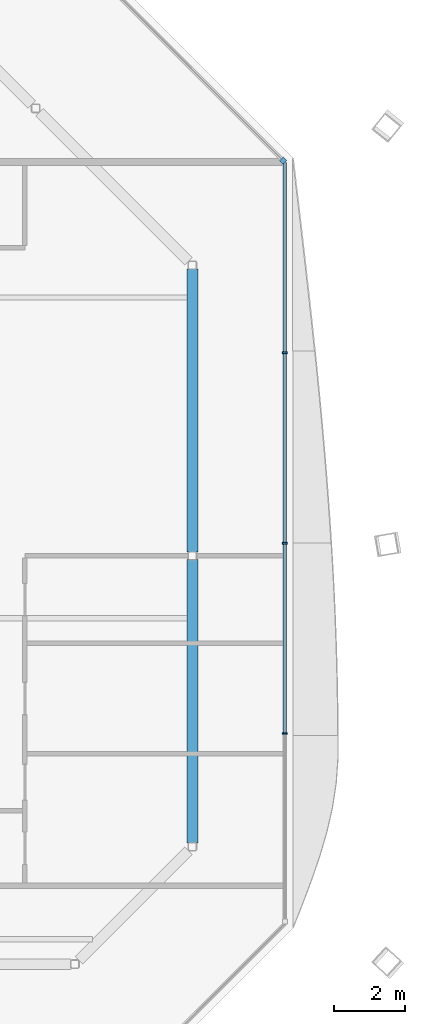
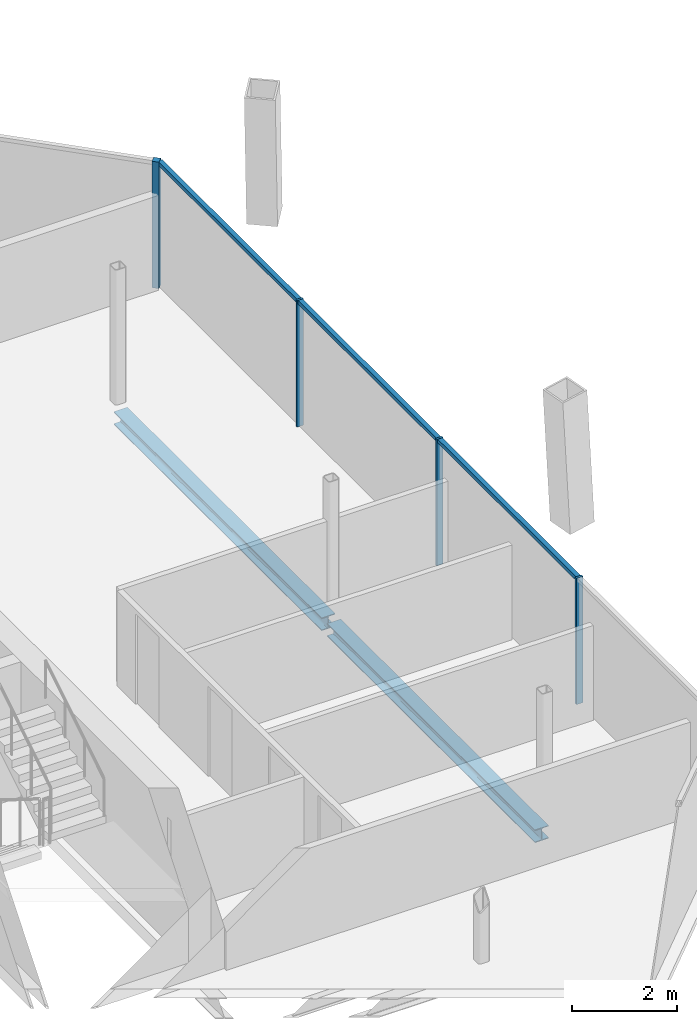
# One storey, part 7 of 16: 7 members, 2 beams, 2 elements without a shape of their own.
"""IFC4 building model written with IfcOpenShell, lengths in metres."""

import ifcopenshell
import ifcopenshell.guid

model = None  # the IFC model being written
_history = None  # IfcOwnerHistory: only IFC2X3 demands one
_inside = {}  # id of a spatial element -> (the spatial element, [elements in it])
_under = {}  # id of a project, library or spatial element -> (it, [spatial elements below it])
_declared = {}  # id of a project -> (the project, [libraries it declares])
_typed = {}  # id of a type object -> (the type object, [elements of that type])
_made_of = {}  # id of a material, layer set ... -> (it, [elements and type objects made of it])


def new_model(schema):
    """Start an empty IFC model of exactly this schema.

    Asked for "IFC4X3", IfcOpenShell would pick the latest addendum, in which some entities
    have other attributes; the version numbers below select the first issue.
    IFC2X3 requires an IfcOwnerHistory on every rooted entity: one is made here for all.
    """
    global model, _history
    if schema == "IFC4X3":
        model = ifcopenshell.file(schema_version=(4, 3, 0, 0))
    else:
        model = ifcopenshell.file(schema=schema)
    _inside.clear()
    _under.clear()
    _declared.clear()
    _typed.clear()
    _made_of.clear()
    _history = None
    if model.schema == "IFC2X3":
        org = make("IfcOrganization", Name="unknown")
        user = make(
            "IfcPersonAndOrganization",
            ThePerson=make("IfcPerson", FamilyName="unknown"),
            TheOrganization=org,
        )
        app = make(
            "IfcApplication",
            ApplicationDeveloper=org,
            Version="unknown",
            ApplicationFullName="unknown",
            ApplicationIdentifier="unknown",
        )
        _history = make(
            "IfcOwnerHistory",
            OwningUser=user,
            OwningApplication=app,
            ChangeAction="ADDED",
            CreationDate=0,
        )
    return model


def make(cls, **values):
    """One entity of the class cls with the attributes given. An attribute that is None is left unset."""
    return model.create_entity(
        cls, **{name: value for name, value in values.items() if value is not None}
    )


def rooted(cls, **values):
    """An entity with a GlobalId (a new one), such as an element, a storey or a relation."""
    return make(cls, GlobalId=ifcopenshell.guid.new(), OwnerHistory=_history, **values)


def si_unit(unit_type, name, prefix=None):
    """IfcSIUnit, for example si_unit("LENGTHUNIT", "METRE", prefix="MILLI")."""
    return make("IfcSIUnit", UnitType=unit_type, Prefix=prefix, Name=name)


def assignment(units):
    """IfcUnitAssignment: the units of a project."""
    return None if units is None else make("IfcUnitAssignment", Units=units)


def point(xyz):
    """IfcCartesianPoint."""
    return None if xyz is None else make("IfcCartesianPoint", Coordinates=xyz)


def direction(xyz):
    """IfcDirection."""
    return None if xyz is None else make("IfcDirection", DirectionRatios=xyz)


def frame(location, z_axis=None, x_axis=None):
    """IfcAxis2Placement3D, a coordinate frame: its origin and axes. An axis left out is left unset."""
    return make(
        "IfcAxis2Placement3D",
        Location=point(location),
        Axis=direction(z_axis),
        RefDirection=direction(x_axis),
    )


def frame_2d(location, x_axis=None):
    """IfcAxis2Placement2D, a coordinate frame in the plane: its origin and x axis."""
    return make(
        "IfcAxis2Placement2D", Location=point(location), RefDirection=direction(x_axis)
    )


def origin():
    """The frame at (0, 0, 0) with its axes left unset."""
    return frame((0.0, 0.0, 0.0))


def origin_2d():
    """The frame at (0, 0) in the plane with its x axis left unset."""
    return frame_2d((0.0, 0.0))


def place(relative_to, where):
    """IfcLocalPlacement: puts the frame where relative to a parent placement (None: the world)."""
    return make(
        "IfcLocalPlacement", PlacementRelTo=relative_to, RelativePlacement=where
    )


def context(
    kind, dimensions, precision=None, world=None, true_north=None, identifier=None
):
    """IfcGeometricRepresentationContext, for example the 3D "Model" context."""
    return make(
        "IfcGeometricRepresentationContext",
        ContextIdentifier=identifier,
        ContextType=kind,
        CoordinateSpaceDimension=dimensions,
        Precision=precision,
        WorldCoordinateSystem=world,
        TrueNorth=true_north,
    )


def subcontext(parent, identifier, kind, view, scale=None):
    """IfcGeometricRepresentationSubContext, for example "Body" below "Model"."""
    return make(
        "IfcGeometricRepresentationSubContext",
        ContextIdentifier=identifier,
        ContextType=kind,
        ParentContext=parent,
        TargetScale=scale,
        TargetView=view,
    )


def project(units=None, contexts=None):
    """IfcProject with its units and contexts."""
    return rooted(
        "IfcProject",
        Name="project",
        RepresentationContexts=contexts,
        UnitsInContext=assignment(units),
    )


def spatial(cls, under=None, at=None, **own):
    """A site, building, storey or space (cls), placed at a placement, below another one or the project."""
    s = rooted(cls, ObjectPlacement=at, **own)
    if under is not None:
        _under.setdefault(under.id(), (under, []))[1].append(s)
    return s


def profile(cls, at=None, kind="AREA", **sizes):
    """A parametric profile (cls). Its sizes go by their IFC names, for example OverallWidth=200.0."""
    return make(cls, ProfileType=kind, Position=at, **sizes)


def rectangle(**sizes):
    """IfcRectangleProfileDef."""
    return profile("IfcRectangleProfileDef", **sizes)


def i_section(**sizes):
    """IfcIShapeProfileDef."""
    return profile("IfcIShapeProfileDef", **sizes)


def extrude(swept, where, along, depth):
    """IfcExtrudedAreaSolid: the profile swept, set in the frame where, extruded along a direction by depth."""
    return make(
        "IfcExtrudedAreaSolid",
        SweptArea=swept,
        Position=where,
        ExtrudedDirection=direction(along),
        Depth=depth,
    )


def shape(context_of_items, identifier, shape_type, items):
    """IfcShapeRepresentation: the items that make up one representation, for example the "Body"."""
    return make(
        "IfcShapeRepresentation",
        ContextOfItems=context_of_items,
        RepresentationIdentifier=identifier,
        RepresentationType=shape_type,
        Items=items,
    )


def material(Name=None, Category=None):
    """IfcMaterial."""
    return make("IfcMaterial", Name=Name, Category=Category)


def material_profile(
    of_material, cross_section, Name=None, Category=None, Priority=None
):
    """IfcMaterialProfile: a cross section and its material."""
    return make(
        "IfcMaterialProfile",
        Name=Name,
        Material=of_material,
        Profile=cross_section,
        Priority=Priority,
        Category=Category,
    )


def profile_set(profiles, Name=None, composite=None):
    """IfcMaterialProfileSet."""
    return make(
        "IfcMaterialProfileSet",
        Name=Name,
        MaterialProfiles=profiles,
        CompositeProfile=composite,
    )


def made_of(thing, what):
    """Note that an element or type object is made of a material, layer set ...; save() writes the relation."""
    if what is not None:
        _made_of.setdefault(what.id(), (what, []))[1].append(thing)
    return thing


def type_object(cls, material=None, **own):
    """A type object (cls), such as IfcWallType, which elements share."""
    return made_of(rooted(cls, **own), material)


def element(
    cls,
    number,
    at=None,
    inside=None,
    cuts=None,
    type_object=None,
    material=None,
    context=None,
    identifier="Body",
    shape_type=None,
    held_by="IfcProductDefinitionShape",
    body=None,
    shapes=None,
    **own,
):
    """One element of the class cls, such as IfcWall. Its Tag is "e" and its number.

    at: its placement. inside: the storey or other place that contains it. cuts: it is an
    opening in that element (IfcRelVoidsElement). A single representation is given by context,
    identifier, shape_type and body (its items); several are given by shapes. held_by: the class
    of the entity that holds the representations. save() writes the other relations.
    """
    e = rooted(cls, Tag="e%d" % number, ObjectPlacement=at, **own)
    if body is not None:
        shapes = [shape(context, identifier, shape_type, body)]
    if shapes is not None:
        e.Representation = make(held_by, Representations=shapes)
    if inside is not None:
        _inside.setdefault(inside.id(), (inside, []))[1].append(e)
    if cuts is not None:
        rooted(
            "IfcRelVoidsElement", RelatingBuildingElement=cuts, RelatedOpeningElement=e
        )
    if type_object is not None:
        _typed.setdefault(type_object.id(), (type_object, []))[1].append(e)
    return made_of(e, material)


def aggregate(whole, parts):
    """IfcRelAggregates: a whole, such as a stair, and the parts it consists of."""
    return rooted("IfcRelAggregates", RelatingObject=whole, RelatedObjects=parts)


def save(model, path):
    """Write the relations noted so far, then the file.

    IfcRelAggregates (storeys below a building ...), IfcRelContainedInSpatialStructure (elements
    in a storey), IfcRelDefinesByType, IfcRelAssociatesMaterial and IfcRelDeclares: one each for
    every whole, place, type object, material and project.
    """
    for whole, parts in _under.values():
        aggregate(whole, parts)
    for where, things in _inside.values():
        rooted(
            "IfcRelContainedInSpatialStructure",
            RelatedElements=things,
            RelatingStructure=where,
        )
    for kind, things in _typed.values():
        rooted("IfcRelDefinesByType", RelatedObjects=things, RelatingType=kind)
    for what, things in _made_of.values():
        rooted("IfcRelAssociatesMaterial", RelatedObjects=things, RelatingMaterial=what)
    for by, libraries in _declared.values():
        rooted("IfcRelDeclares", RelatingContext=by, RelatedDefinitions=libraries)
    model.write(path)


model = new_model("IFC4")

# Units and contexts
model_context = context("Model", 3, precision=1e-05, world=origin(), true_north=direction((0.0, 1.0)))
body_context = subcontext(model_context, "Body", "Model", "MODEL_VIEW")
ifc_project = project(units=[si_unit("LENGTHUNIT", "METRE"), si_unit("AREAUNIT", "SQUARE_METRE"), si_unit("VOLUMEUNIT", "CUBIC_METRE"), si_unit("PLANEANGLEUNIT", "RADIAN"), si_unit("MASSUNIT", "GRAM", prefix="KILO")], contexts=[model_context])

# Site, building, storey
site_placement = place(None, origin())
site = spatial("IfcSite", under=ifc_project, at=site_placement, CompositionType="ELEMENT")
building_placement = place(site_placement, origin())
building = spatial("IfcBuilding", under=site, at=building_placement, Name="Tskaro Facet Tower", CompositionType="ELEMENT")
storey_placement = place(building_placement, frame((0.0, 0.0, 262.64990234375)))
storey = spatial("IfcBuildingStorey", under=building, at=storey_placement, Name="L69", CompositionType="ELEMENT", Elevation=262.64990234375)

# Curtain wall, member
ifc_material_1 = material(Name="Bronze anodised aluminium 6063-T6", Category="aluminium")
curtain_wall_type = type_object("IfcCurtainWallType", Name="Bronze residence curtain wall (FW3)", PredefinedType="NOTDEFINED", material=ifc_material_1)
curtain_wall_1_placement = place(storey_placement, origin())
curtain_wall_1 = element("IfcCurtainWall", 1, at=curtain_wall_1_placement, inside=storey, type_object=curtain_wall_type, Name="FW3 north-east facet L69", PredefinedType="NOTDEFINED")
ifc_material_profile_1 = material_profile(ifc_material_1, rectangle(XDim=0.139892578125, YDim=0.139892578125, at=origin_2d()), Name="Corner post 140x140")
ifc_profile_set_1 = profile_set([ifc_material_profile_1], Name="Bronze anodised aluminium 6063-T6")
member_type_1 = type_object("IfcMemberType", Name="FW3 bronze corner post 140x140", PredefinedType="MULLION", material=ifc_profile_set_1)
member_1_placement = place(storey_placement, frame((19.743408203125, 8.33642578125, 0.0), z_axis=(0.0, 0.0, 1.0), x_axis=(-0.707106781187, 0.707106781187, 0.0)))
member_1 = element("IfcMember", 2, at=member_1_placement, type_object=member_type_1, Name="FW3 north-east corner post", PredefinedType="MULLION", context=body_context, shape_type="SweptSolid", body=[
    extrude(rectangle(XDim=0.139892578125, YDim=0.139892578125, at=origin_2d()), origin(), (0.0, 0.0, 1.0), 2.9501953125),
])
aggregate(curtain_wall_1, [member_1])

# Curtain wall, members
curtain_wall_2_placement = place(storey_placement, origin())
curtain_wall_2 = element("IfcCurtainWall", 3, at=curtain_wall_2_placement, inside=storey, type_object=curtain_wall_type, Name="FW3 east facet L69", PredefinedType="NOTDEFINED")
ifc_material_profile_2 = material_profile(ifc_material_1, rectangle(XDim=0.050048828125, YDim=0.139892578125, at=origin_2d()), Name="Mullion 50x140")
ifc_profile_set_2 = profile_set([ifc_material_profile_2], Name="Bronze anodised aluminium 6063-T6")
member_type_2 = type_object("IfcMemberType", Name="FW3 bronze mullion 50x140", PredefinedType="MULLION", material=ifc_profile_set_2)
member_2_placement = place(storey_placement, frame((19.79296875, -7.730712890625, 0.0), z_axis=(0.0, 0.0, 1.0), x_axis=(0.0, 1.0, 0.0)))
member_2 = element("IfcMember", 4, at=member_2_placement, type_object=member_type_2, Name="FW3 east mullion 1", PredefinedType="MULLION", context=body_context, shape_type="SweptSolid", body=[
    extrude(rectangle(XDim=0.050048828125, YDim=0.139892578125, at=origin_2d()), origin(), (0.0, 0.0, 1.0), 2.9501953125),
])
member_3_placement = place(storey_placement, frame((19.79296875, -2.3916015625, 0.0), z_axis=(0.0, 0.0, 1.0), x_axis=(0.0, 1.0, 0.0)))
member_3 = element("IfcMember", 5, at=member_3_placement, type_object=member_type_2, Name="FW3 east mullion 2", PredefinedType="MULLION", context=body_context, shape_type="SweptSolid", body=[
    extrude(rectangle(XDim=0.050048828125, YDim=0.139892578125, at=origin_2d()), origin(), (0.0, 0.0, 1.0), 2.9501953125),
])
member_4_placement = place(storey_placement, frame((19.79296875, 2.94775390625, 0.0), z_axis=(0.0, 0.0, 1.0), x_axis=(0.0, 1.0, 0.0)))
member_4 = element("IfcMember", 6, at=member_4_placement, type_object=member_type_2, Name="FW3 east mullion 3", PredefinedType="MULLION", context=body_context, shape_type="SweptSolid", body=[
    extrude(rectangle(XDim=0.050048828125, YDim=0.139892578125, at=origin_2d()), origin(), (0.0, 0.0, 1.0), 2.9501953125),
])
ifc_material_profile_3 = material_profile(ifc_material_1, rectangle(XDim=0.10009765625, YDim=0.090087890625, at=origin_2d()), Name="Transom 100x90")
ifc_profile_set_3 = profile_set([ifc_material_profile_3], Name="Bronze anodised aluminium 6063-T6")
member_type_3 = type_object("IfcMemberType", Name="FW3 bronze transom 100x90", PredefinedType="USERDEFINED", material=ifc_profile_set_3)
member_5_placement = place(storey_placement, frame((19.79296875, -7.705810546875, 2.905029296875), z_axis=(0.0, 1.0, 0.0), x_axis=(-1.0, 0.0, 0.0)))
member_5 = element("IfcMember", 7, at=member_5_placement, type_object=member_type_3, Name="FW3 east transom 2.1", ObjectType="TRANSOM", PredefinedType="USERDEFINED", context=body_context, shape_type="SweptSolid", body=[
    extrude(rectangle(XDim=0.10009765625, YDim=0.090087890625, at=origin_2d()), origin(), (0.0, 0.0, 1.0), 5.289306640625),
])
member_6_placement = place(storey_placement, frame((19.79296875, -2.366455078125, 2.905029296875), z_axis=(0.0, 1.0, 0.0), x_axis=(-1.0, 0.0, 0.0)))
member_6 = element("IfcMember", 8, at=member_6_placement, type_object=member_type_3, Name="FW3 east transom 3.1", ObjectType="TRANSOM", PredefinedType="USERDEFINED", context=body_context, shape_type="SweptSolid", body=[
    extrude(rectangle(XDim=0.10009765625, YDim=0.090087890625, at=origin_2d()), origin(), (0.0, 0.0, 1.0), 5.289306640625),
])
member_7_placement = place(storey_placement, frame((19.79296875, 2.97265625, 2.905029296875), z_axis=(0.0, 1.0, 0.0), x_axis=(-1.0, 0.0, 0.0)))
member_7 = element("IfcMember", 9, at=member_7_placement, type_object=member_type_3, Name="FW3 east transom 4.1", ObjectType="TRANSOM", PredefinedType="USERDEFINED", context=body_context, shape_type="SweptSolid", body=[
    extrude(rectangle(XDim=0.10009765625, YDim=0.090087890625, at=origin_2d()), origin(), (0.0, 0.0, 1.0), 5.314453125),
])
aggregate(curtain_wall_2, [member_2, member_3, member_4, member_5, member_6, member_7])

# Beams
ifc_material_2 = material(Name="Steel S355J2", Category="steel")
ifc_material_profile_4 = material_profile(ifc_material_2, i_section(OverallWidth=0.300048828125, OverallDepth=0.300048828125, WebThickness=0.010986328125, FlangeThickness=0.01904296875, FilletRadius=0.027099609375, at=origin_2d()), Name="HE 300 B")
ifc_profile_set_4 = profile_set([ifc_material_profile_4], Name="Steel S355J2")
beam_type = type_object("IfcBeamType", Name="HE 300 B ring beam", PredefinedType="BEAM", material=ifc_profile_set_4)
for number, where, z_axis, x_axis, name in (
    (10, (17.199951171875, -10.798095703125, -0.289794921875), (0.0, 1.0, 0.0), (-1.0, 0.0, 0.0), "HE 300 B EB5-6"),
    (11, (17.199951171875, -2.64501953125, -0.289794921875), (0.0, 1.0, 0.0), (-1.0, 0.0, 0.0), "HE 300 B EB6-6"),
):
    element("IfcBeam", number, at=place(storey_placement, frame(where, z_axis=z_axis, x_axis=x_axis)), inside=storey, type_object=beam_type, Name=name, PredefinedType="BEAM", context=body_context, shape_type="SweptSolid", body=[
        extrude(i_section(OverallWidth=0.300048828125, OverallDepth=0.300048828125, WebThickness=0.010986328125, FlangeThickness=0.01904296875, FilletRadius=0.027099609375, at=origin_2d()), origin(), (0.0, 0.0, 1.0), 7.943115234375),
    ])

save(model, "model.ifc")
